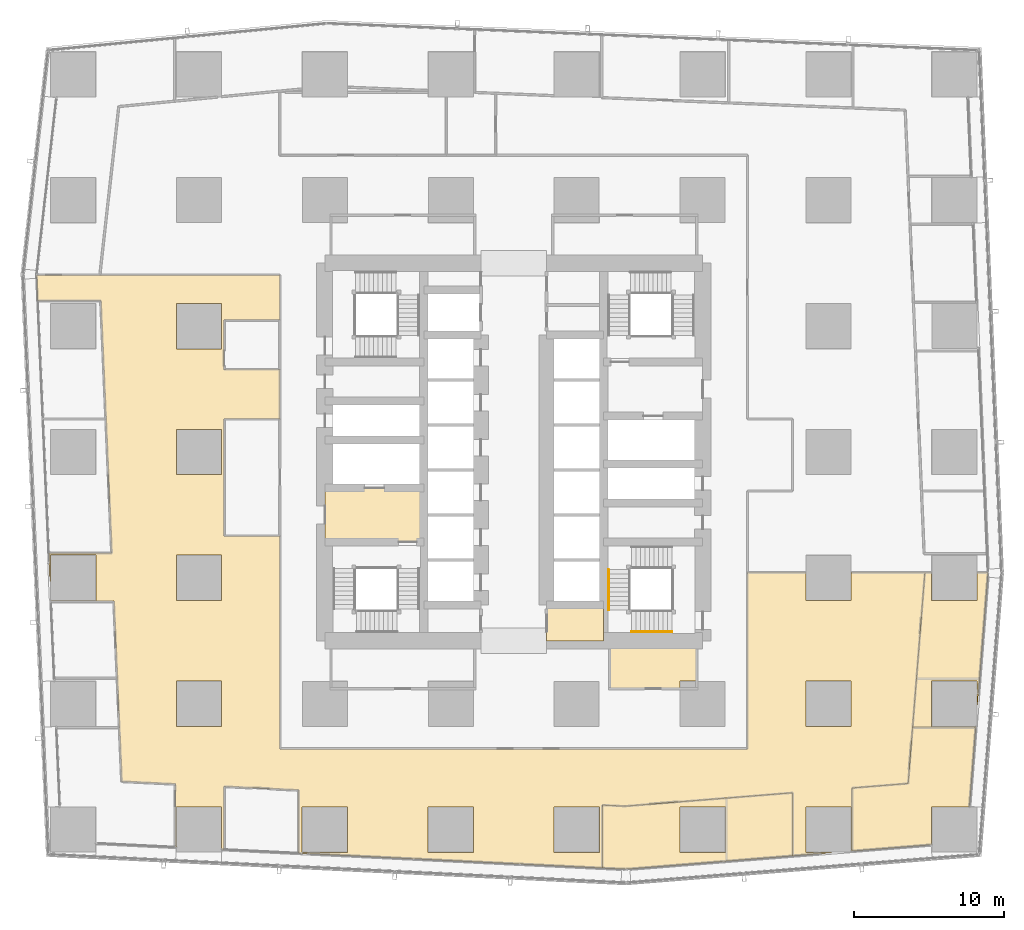
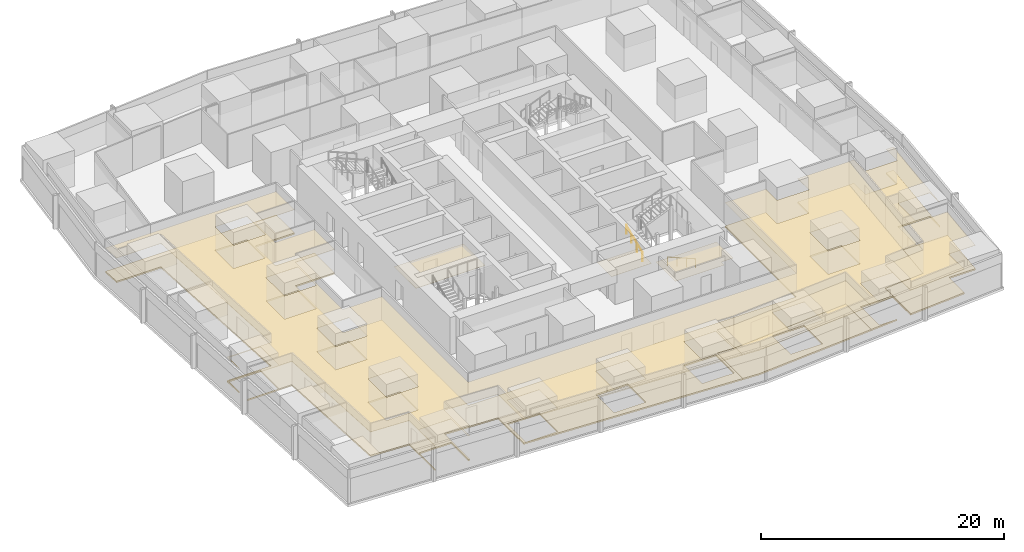
# One storey, part 38 of 44: 11 coverings, 2 railings.
"""IFC4 building model written with IfcOpenShell, lengths in metres."""

from ifc_helpers import new_model, si_unit, direction, frame, origin, origin_2d, place, context, subcontext, project, spatial, polyline, circle, outline, extrude, material, layer, layer_set, type_object, element, save


model = new_model("IFC4")

# Units and contexts
model_context = context("Model", 3, precision=1e-05, world=origin(), true_north=direction((0.0, 1.0)))
body_context = subcontext(model_context, "Body", "Model", "MODEL_VIEW")
ifc_project = project(units=[si_unit("LENGTHUNIT", "METRE"), si_unit("AREAUNIT", "SQUARE_METRE"), si_unit("VOLUMEUNIT", "CUBIC_METRE"), si_unit("PLANEANGLEUNIT", "RADIAN"), si_unit("MASSUNIT", "GRAM", prefix="KILO")], contexts=[model_context])

# Site, building, storey
site_placement = place(None, origin())
site = spatial("IfcSite", under=ifc_project, at=site_placement, CompositionType="ELEMENT")
building_placement = place(site_placement, origin())
building = spatial("IfcBuilding", under=site, at=building_placement, Name="Rekha Terrace Tower", CompositionType="ELEMENT")
storey_placement = place(building_placement, frame((0.0, 0.0, 81.64990234375)))
storey = spatial("IfcBuildingStorey", under=building, at=storey_placement, Name="L20", CompositionType="ELEMENT", Elevation=81.64990234375)

# Coverings
ifc_material_1 = material(Name="Mineral fibre tile in exposed grid", Category="finish")
ifc_layer_1 = layer(ifc_material_1, 0.02001953125)
ifc_layer_set_1 = layer_set([ifc_layer_1], Name="Mineral fibre tile in exposed grid")
covering_type_1 = type_object("IfcCoveringType", Name="CL1 600x1200 office grid ceiling", PredefinedType="CEILING", material=ifc_layer_set_1)
covering_1_placement = place(storey_placement, frame((0.0, 0.0, 2.47998046875)))
element("IfcCovering", 1, at=covering_1_placement, inside=storey, type_object=covering_type_1, Name="Ceiling L20-12", PredefinedType="CEILING", context=body_context, shape_type="SweptSolid", body=[
    extrude(outline(polyline([(45.2060546875, 9.969970703125), (43.712890625, 10.0439453125), (43.712890625, 5.839111328125), (45.27099609375, 5.761962890625), (52.0009765625, 6.301025390625), (56.404052734375, 6.654052734375), (56.404052734375, 10.866943359375), (51.9990234375, 10.513916015625), (45.2060546875, 9.969970703125)]), holes=[polyline([(51.9150390625, 6.885009765625), (48.885009765625, 6.885009765625), (48.885009765625, 9.9150390625), (51.9150390625, 9.9150390625), (51.9150390625, 6.885009765625)])]), origin(), (0.0, 0.0, 1.0), 0.02001953125),
])
covering_2_placement = place(storey_placement, frame((0.0, 0.0, 2.47998046875)))
element("IfcCovering", 2, at=covering_2_placement, inside=storey, type_object=covering_type_1, Name="Ceiling L20-13", PredefinedType="CEILING", context=body_context, shape_type="SweptSolid", body=[
    extrude(outline(polyline([(64.408935546875, 15.239990234375), (64.111083984375, 11.485107421875), (60.360107421875, 11.18408203125), (60.360107421875, 6.970947265625), (65.68505859375, 7.39697265625), (65.68505859375, 9.9150390625), (68.199951171875, 9.9150390625), (68.6220703125, 15.239990234375), (64.408935546875, 15.239990234375)])), origin(), (0.0, 0.0, 1.0), 0.02001953125),
])
covering_3_placement = place(storey_placement, frame((0.0, 0.0, 2.47998046875)))
element("IfcCovering", 3, at=covering_3_placement, inside=storey, type_object=covering_type_1, Name="Ceiling L20-14", PredefinedType="CEILING", context=body_context, shape_type="SweptSolid", body=[
    extrude(outline(polyline([(65.68505859375, 23.68505859375), (65.68505859375, 25.551025390625), (65.22705078125, 25.551025390625), (64.666015625, 18.47607421875), (64.408935546875, 15.240966796875), (68.6220703125, 15.240966796875), (68.625, 15.284912109375), (65.68505859375, 15.284912109375), (65.68505859375, 18.31494140625), (68.715087890625, 18.31494140625), (68.715087890625, 16.716064453125), (68.739013671875, 16.715087890625), (68.87890625, 18.47705078125), (69.44091796875, 25.551025390625), (68.715087890625, 25.551025390625), (68.715087890625, 23.68505859375), (65.68505859375, 23.68505859375)])), origin(), (0.0, 0.0, 1.0), 0.02001953125),
])
covering_4_placement = place(storey_placement, frame((0.0, 0.0, 2.47998046875)))
element("IfcCovering", 4, at=covering_4_placement, inside=storey, type_object=covering_type_1, Name="Ceiling L20-O2", PredefinedType="CEILING", context=body_context, shape_type="SweptSolid", body=[
    extrude(outline(polyline([(10.243896484375, 43.694091796875), (10.589111328125, 35.800048828125), (10.97998046875, 26.84912109375), (6.77587890625, 26.84912109375), (6.85791015625, 24.965087890625), (6.885009765625, 24.966064453125), (6.885009765625, 26.715087890625), (9.9150390625, 26.715087890625), (9.9150390625, 23.68505859375), (6.9140625, 23.68505859375), (6.916015625, 23.64306640625), (11.1201171875, 23.64306640625), (11.344970703125, 18.5), (11.488037109375, 15.22802734375), (11.64599609375, 11.617919921875), (15.241943359375, 11.44189453125), (15.241943359375, 7.237060546875), (15.284912109375, 7.235107421875), (15.284912109375, 9.9150390625), (18.31494140625, 9.9150390625), (18.31494140625, 7.0859375), (18.47509765625, 7.077880859375), (18.47509765625, 11.282958984375), (23.451904296875, 11.0380859375), (23.451904296875, 6.8330078125), (23.64306640625, 6.823974609375), (31.958984375, 6.416015625), (43.712890625, 5.839111328125), (43.712890625, 10.0439453125), (45.2060546875, 9.969970703125), (52.0009765625, 10.513916015625), (52.0009765625, 10.514892578125), (56.404052734375, 10.866943359375), (56.404052734375, 6.654052734375), (58.987060546875, 6.861083984375), (58.986083984375, 6.885009765625), (57.284912109375, 6.885009765625), (57.284912109375, 9.9150390625), (60.31494140625, 9.9150390625), (60.31494140625, 6.967041015625), (60.360107421875, 6.970947265625), (60.360107421875, 11.18408203125), (64.111083984375, 11.485107421875), (64.408935546875, 15.240966796875), (64.666015625, 18.47705078125), (65.22705078125, 25.551025390625), (60.31494140625, 25.551025390625), (60.31494140625, 23.68505859375), (57.284912109375, 23.68505859375), (57.284912109375, 25.551025390625), (53.39990234375, 25.551025390625), (53.39990234375, 13.800048828125), (22.199951171875, 13.800048828125), (22.199951171875, 28.0), (18.47509765625, 28.0), (18.47509765625, 35.800048828125), (22.199951171875, 35.800048828125), (22.199951171875, 39.10009765625), (18.47509765625, 39.10009765625), (18.47509765625, 42.39990234375), (22.199951171875, 42.39990234375), (22.199951171875, 45.410888671875), (5.964111328125, 45.410888671875), (6.0400390625, 43.694091796875), (10.243896484375, 43.694091796875)]), holes=[polyline([(60.31494140625, 18.31494140625), (60.31494140625, 15.284912109375), (57.284912109375, 15.284912109375), (57.284912109375, 18.31494140625), (60.31494140625, 18.31494140625)]), polyline([(43.514892578125, 6.885009765625), (40.485107421875, 6.885009765625), (40.485107421875, 9.9150390625), (43.514892578125, 9.9150390625), (43.514892578125, 6.885009765625)]), polyline([(35.114990234375, 6.885009765625), (32.0849609375, 6.885009765625), (32.0849609375, 9.9150390625), (35.114990234375, 9.9150390625), (35.114990234375, 6.885009765625)]), polyline([(26.715087890625, 9.9150390625), (26.715087890625, 6.885009765625), (23.68505859375, 6.885009765625), (23.68505859375, 9.9150390625), (26.715087890625, 9.9150390625)]), polyline([(18.31494140625, 15.284912109375), (15.284912109375, 15.284912109375), (15.284912109375, 18.31494140625), (18.31494140625, 18.31494140625), (18.31494140625, 15.284912109375)]), polyline([(18.31494140625, 23.68505859375), (15.284912109375, 23.68505859375), (15.284912109375, 26.715087890625), (18.31494140625, 26.715087890625), (18.31494140625, 23.68505859375)]), polyline([(18.31494140625, 32.0849609375), (15.284912109375, 32.0849609375), (15.284912109375, 35.114990234375), (18.31494140625, 35.114990234375), (18.31494140625, 32.0849609375)]), polyline([(18.31494140625, 40.485107421875), (15.284912109375, 40.485107421875), (15.284912109375, 43.514892578125), (18.31494140625, 43.514892578125), (18.31494140625, 40.485107421875)])]), origin(), (0.0, 0.0, 1.0), 0.02001953125),
])
ifc_material_2 = material(Name="Fibre cement board", Category="finish")
ifc_layer_2 = layer(ifc_material_2, 0.014892578125)
ifc_layer_set_2 = layer_set([ifc_layer_2], Name="Fibre cement board")
covering_type_2 = type_object("IfcCoveringType", Name="CL2 moisture-resistant board ceiling", PredefinedType="CEILING", material=ifc_layer_set_2)
covering_5_placement = place(storey_placement, frame((0.0, 0.0, 2.485107421875)))
element("IfcCovering", 5, at=covering_5_placement, inside=storey, type_object=covering_type_2, Name="Ceiling L20-WCA", PredefinedType="CEILING", context=body_context, shape_type="SweptSolid", body=[
    extrude(outline(polyline([(43.800048828125, 23.39990234375), (40.0, 23.39990234375), (40.0, 21.0), (43.800048828125, 21.0), (43.800048828125, 23.39990234375)])), origin(), (0.0, 0.0, 1.0), 0.014892578125),
])
covering_6_placement = place(storey_placement, frame((0.0, 0.0, 2.485107421875)))
element("IfcCovering", 6, at=covering_6_placement, inside=storey, type_object=covering_type_2, Name="Ceiling L20-WCM2", PredefinedType="CEILING", context=body_context, shape_type="SweptSolid", body=[
    extrude(outline(polyline([(50.0, 21.0), (44.199951171875, 21.0), (44.199951171875, 17.800048828125), (48.885009765625, 17.800048828125), (48.885009765625, 18.31494140625), (50.0, 18.31494140625), (50.0, 21.0)])), origin(), (0.0, 0.0, 1.0), 0.014892578125),
])
ifc_material_3 = material(Name="Powder-coated aluminium pan", Category="aluminium")
ifc_layer_3 = layer(ifc_material_3, 0.030029296875)
ifc_layer_set_3 = layer_set([ifc_layer_3], Name="Powder-coated aluminium pan")
covering_type_3 = type_object("IfcCoveringType", Name="CL3 300x1200 metal pan ceiling", PredefinedType="CEILING", material=ifc_layer_set_3)
covering_7_placement = place(storey_placement, frame((0.0, 0.0, 2.47021484375)))
element("IfcCovering", 7, at=covering_7_placement, inside=storey, type_object=covering_type_3, Name="Ceiling L20-FLB1", PredefinedType="CEILING", context=body_context, shape_type="SweptSolid", body=[
    extrude(outline(polyline([(31.800048828125, 31.199951171875), (25.199951171875, 31.199951171875), (25.199951171875, 27.60009765625), (31.800048828125, 27.60009765625), (31.800048828125, 31.199951171875)])), origin(), (0.0, 0.0, 1.0), 0.02978515625),
])

# Railings
ifc_material_4 = material(Name="Stainless steel tube", Category="steel")
railing_type = type_object("IfcRailingType", Name="HR1 900 stair handrail", PredefinedType="HANDRAIL", material=ifc_material_4)
railing_1_placement = place(storey_placement, frame((48.35009765625, 21.610107421875, 0.125)))
element("IfcRailing", 8, at=railing_1_placement, inside=storey, type_object=railing_type, Name="Handrail ST3 L20 flight 1", PredefinedType="HANDRAIL", context=body_context, shape_type="SweptSolid", body=[
    extrude(circle(Radius=0.02392578125, at=origin_2d()), frame((0.0, 0.0, 0.8759765625), z_axis=(-0.923086799901, 0.0, 0.38459167938), x_axis=(0.0, -1.0, 0.0)), (0.0, 0.0, 1.0), 2.92529296875),
    extrude(circle(Radius=0.02099609375, at=origin_2d()), origin(), (0.0, 0.0, 1.0), 0.851806640625),
    extrude(circle(Radius=0.02099609375, at=origin_2d()), frame((-0.900146484375, 0.0, 0.375)), (0.0, 0.0, 1.0), 0.851806640625),
    extrude(circle(Radius=0.02099609375, at=origin_2d()), frame((-1.800048828125, 0.0, 0.75)), (0.0, 0.0, 1.0), 0.851806640625),
    extrude(circle(Radius=0.02099609375, at=origin_2d()), frame((-2.7001953125, 0.0, 1.125)), (0.0, 0.0, 1.0), 0.851806640625),
])
railing_2_placement = place(storey_placement, frame((44.135009765625, 23.050048828125, 1.375)))
element("IfcRailing", 9, at=railing_2_placement, inside=storey, type_object=railing_type, Name="Handrail ST3 L20 flight 2", PredefinedType="HANDRAIL", context=body_context, shape_type="SweptSolid", body=[
    extrude(circle(Radius=0.02392578125, at=origin_2d()), frame((0.0, 0.0, 0.8759765625), z_axis=(0.0, 0.923074453586, 0.384621311341), x_axis=(-1.0, 0.0, 0.0)), (0.0, 0.0, 1.0), 2.925048828125),
    extrude(circle(Radius=0.02099609375, at=origin_2d()), origin(), (0.0, 0.0, 1.0), 0.851806640625),
    extrude(circle(Radius=0.02099609375, at=origin_2d()), frame((0.0, 0.89990234375, 0.375)), (0.0, 0.0, 1.0), 0.851806640625),
    extrude(circle(Radius=0.02099609375, at=origin_2d()), frame((0.0, 1.800048828125, 0.75)), (0.0, 0.0, 1.0), 0.851806640625),
    extrude(circle(Radius=0.02099609375, at=origin_2d()), frame((0.0, 2.699951171875, 1.125)), (0.0, 0.0, 1.0), 0.851806640625),
])

# Coverings
ifc_material_5 = material(Name="Calcium sulphate panels on steel pedestals", Category="steel")
ifc_layer_4 = layer(ifc_material_5, 0.14990234375)
ifc_layer_set_4 = layer_set([ifc_layer_4], Name="Calcium sulphate panels on steel pedestals")
covering_type_4 = type_object("IfcCoveringType", Name="RF1 150 raised access floor", PredefinedType="FLOORING", material=ifc_layer_set_4)
covering_8_placement = place(storey_placement, origin())
element("IfcCovering", 10, at=covering_8_placement, inside=storey, type_object=covering_type_4, Name="Raised floor L20-12", PredefinedType="FLOORING", context=body_context, shape_type="SweptSolid", body=[
    extrude(outline(polyline([(45.2060546875, 9.969970703125), (43.712890625, 10.0439453125), (43.712890625, 5.839111328125), (45.27099609375, 5.761962890625), (52.0009765625, 6.301025390625), (56.404052734375, 6.654052734375), (56.404052734375, 10.866943359375), (51.9990234375, 10.513916015625), (45.2060546875, 9.969970703125)]), holes=[polyline([(51.9150390625, 6.885009765625), (48.885009765625, 6.885009765625), (48.885009765625, 9.9150390625), (51.9150390625, 9.9150390625), (51.9150390625, 6.885009765625)])]), origin(), (0.0, 0.0, 1.0), 0.150146484375),
])
covering_9_placement = place(storey_placement, origin())
element("IfcCovering", 11, at=covering_9_placement, inside=storey, type_object=covering_type_4, Name="Raised floor L20-13", PredefinedType="FLOORING", context=body_context, shape_type="SweptSolid", body=[
    extrude(outline(polyline([(64.408935546875, 15.239990234375), (64.111083984375, 11.485107421875), (60.360107421875, 11.18408203125), (60.360107421875, 6.970947265625), (65.68505859375, 7.39697265625), (65.68505859375, 9.9150390625), (68.199951171875, 9.9150390625), (68.6220703125, 15.239990234375), (64.408935546875, 15.239990234375)])), origin(), (0.0, 0.0, 1.0), 0.150146484375),
])
covering_10_placement = place(storey_placement, origin())
element("IfcCovering", 12, at=covering_10_placement, inside=storey, type_object=covering_type_4, Name="Raised floor L20-14", PredefinedType="FLOORING", context=body_context, shape_type="SweptSolid", body=[
    extrude(outline(polyline([(65.68505859375, 23.68505859375), (65.68505859375, 25.551025390625), (65.22705078125, 25.551025390625), (64.666015625, 18.47607421875), (64.408935546875, 15.240966796875), (68.6220703125, 15.240966796875), (68.625, 15.284912109375), (65.68505859375, 15.284912109375), (65.68505859375, 18.31494140625), (68.715087890625, 18.31494140625), (68.715087890625, 16.716064453125), (68.739013671875, 16.715087890625), (68.87890625, 18.47705078125), (69.44091796875, 25.551025390625), (68.715087890625, 25.551025390625), (68.715087890625, 23.68505859375), (65.68505859375, 23.68505859375)])), origin(), (0.0, 0.0, 1.0), 0.150146484375),
])
covering_11_placement = place(storey_placement, origin())
element("IfcCovering", 13, at=covering_11_placement, inside=storey, type_object=covering_type_4, Name="Raised floor L20-O2", PredefinedType="FLOORING", context=body_context, shape_type="SweptSolid", body=[
    extrude(outline(polyline([(10.243896484375, 43.694091796875), (10.589111328125, 35.800048828125), (10.97998046875, 26.84912109375), (6.77587890625, 26.84912109375), (6.85791015625, 24.965087890625), (6.885009765625, 24.966064453125), (6.885009765625, 26.715087890625), (9.9150390625, 26.715087890625), (9.9150390625, 23.68505859375), (6.9140625, 23.68505859375), (6.916015625, 23.64306640625), (11.1201171875, 23.64306640625), (11.344970703125, 18.5), (11.488037109375, 15.22802734375), (11.64599609375, 11.617919921875), (15.241943359375, 11.44189453125), (15.241943359375, 7.237060546875), (15.284912109375, 7.235107421875), (15.284912109375, 9.9150390625), (18.31494140625, 9.9150390625), (18.31494140625, 7.0859375), (18.47509765625, 7.077880859375), (18.47509765625, 11.282958984375), (23.451904296875, 11.0380859375), (23.451904296875, 6.8330078125), (23.64306640625, 6.823974609375), (31.958984375, 6.416015625), (43.712890625, 5.839111328125), (43.712890625, 10.0439453125), (45.2060546875, 9.969970703125), (52.0009765625, 10.513916015625), (52.0009765625, 10.514892578125), (56.404052734375, 10.866943359375), (56.404052734375, 6.654052734375), (58.987060546875, 6.861083984375), (58.986083984375, 6.885009765625), (57.284912109375, 6.885009765625), (57.284912109375, 9.9150390625), (60.31494140625, 9.9150390625), (60.31494140625, 6.967041015625), (60.360107421875, 6.970947265625), (60.360107421875, 11.18408203125), (64.111083984375, 11.485107421875), (64.408935546875, 15.240966796875), (64.666015625, 18.47705078125), (65.22705078125, 25.551025390625), (60.31494140625, 25.551025390625), (60.31494140625, 23.68505859375), (57.284912109375, 23.68505859375), (57.284912109375, 25.551025390625), (53.39990234375, 25.551025390625), (53.39990234375, 13.800048828125), (22.199951171875, 13.800048828125), (22.199951171875, 28.0), (18.47509765625, 28.0), (18.47509765625, 35.800048828125), (22.199951171875, 35.800048828125), (22.199951171875, 39.10009765625), (18.47509765625, 39.10009765625), (18.47509765625, 42.39990234375), (22.199951171875, 42.39990234375), (22.199951171875, 45.410888671875), (5.964111328125, 45.410888671875), (6.0400390625, 43.694091796875), (10.243896484375, 43.694091796875)]), holes=[polyline([(60.31494140625, 18.31494140625), (60.31494140625, 15.284912109375), (57.284912109375, 15.284912109375), (57.284912109375, 18.31494140625), (60.31494140625, 18.31494140625)]), polyline([(43.514892578125, 6.885009765625), (40.485107421875, 6.885009765625), (40.485107421875, 9.9150390625), (43.514892578125, 9.9150390625), (43.514892578125, 6.885009765625)]), polyline([(35.114990234375, 6.885009765625), (32.0849609375, 6.885009765625), (32.0849609375, 9.9150390625), (35.114990234375, 9.9150390625), (35.114990234375, 6.885009765625)]), polyline([(26.715087890625, 9.9150390625), (26.715087890625, 6.885009765625), (23.68505859375, 6.885009765625), (23.68505859375, 9.9150390625), (26.715087890625, 9.9150390625)]), polyline([(18.31494140625, 15.284912109375), (15.284912109375, 15.284912109375), (15.284912109375, 18.31494140625), (18.31494140625, 18.31494140625), (18.31494140625, 15.284912109375)]), polyline([(18.31494140625, 23.68505859375), (15.284912109375, 23.68505859375), (15.284912109375, 26.715087890625), (18.31494140625, 26.715087890625), (18.31494140625, 23.68505859375)]), polyline([(18.31494140625, 32.0849609375), (15.284912109375, 32.0849609375), (15.284912109375, 35.114990234375), (18.31494140625, 35.114990234375), (18.31494140625, 32.0849609375)]), polyline([(18.31494140625, 40.485107421875), (15.284912109375, 40.485107421875), (15.284912109375, 43.514892578125), (18.31494140625, 43.514892578125), (18.31494140625, 40.485107421875)])]), origin(), (0.0, 0.0, 1.0), 0.150146484375),
])

save(model, "model.ifc")
